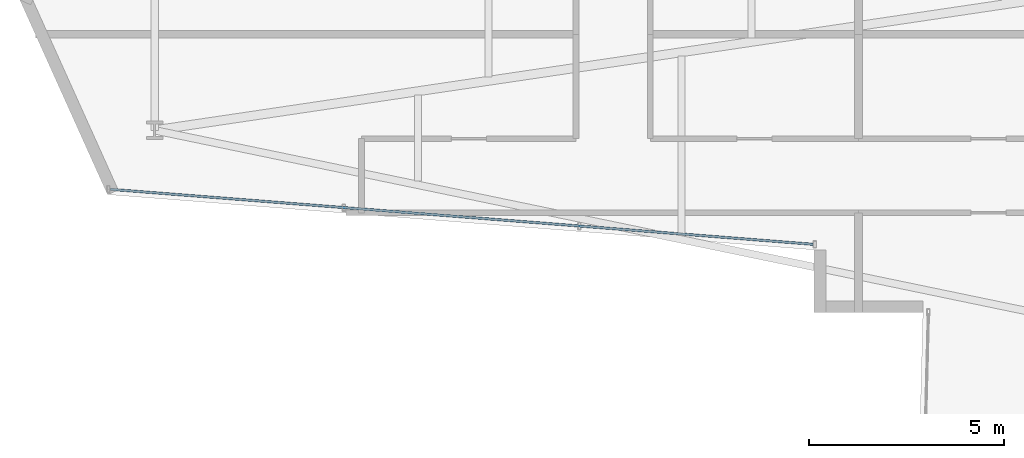
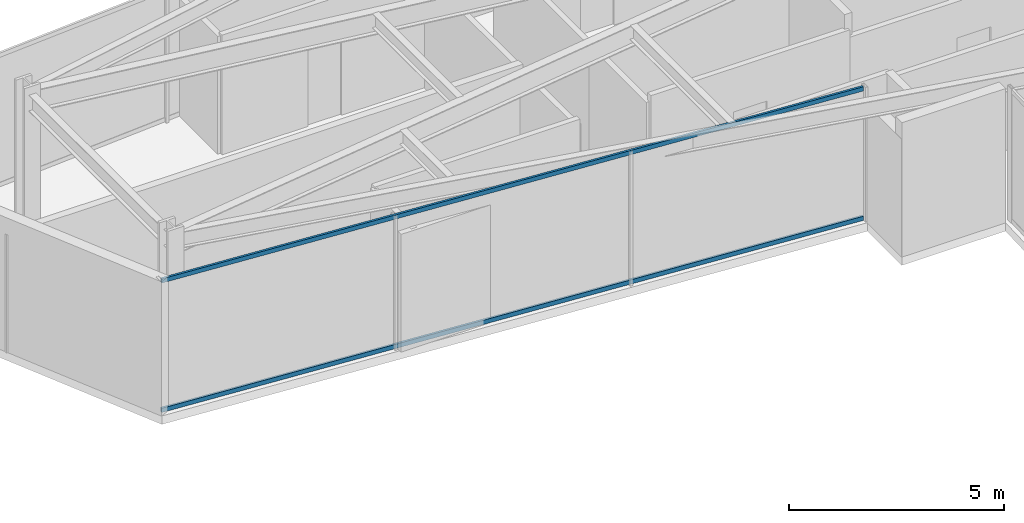
# One storey, part 3 of 29: 2 members, 1 element without a shape of its own.
"""IFC4 building model written with IfcOpenShell, lengths in metres."""

from ifc_helpers import new_model, si_unit, direction, frame, origin, origin_2d, place, context, subcontext, project, spatial, hollow_rectangle, extrude, material, layer, layer_set, material_profile, profile_set, type_object, element, aggregate, save


model = new_model("IFC4")

# Units and contexts
model_context = context("Model", 3, precision=1e-05, world=origin(), true_north=direction((0.0, 1.0)))
body_context = subcontext(model_context, "Body", "Model", "MODEL_VIEW")
ifc_project = project(units=[si_unit("LENGTHUNIT", "METRE"), si_unit("AREAUNIT", "SQUARE_METRE"), si_unit("VOLUMEUNIT", "CUBIC_METRE"), si_unit("PLANEANGLEUNIT", "RADIAN"), si_unit("MASSUNIT", "GRAM", prefix="KILO")], contexts=[model_context])

# Site, building, storey
site_placement = place(None, origin())
site = spatial("IfcSite", under=ifc_project, at=site_placement, CompositionType="ELEMENT")
building_placement = place(site_placement, origin())
building = spatial("IfcBuilding", under=site, at=building_placement, Name="Veymaron Broadcast Tower", CompositionType="ELEMENT")
storey_placement = place(building_placement, frame((0.0, 0.0, 62.10009765625)))
storey = spatial("IfcBuildingStorey", under=building, at=storey_placement, Name="L13", CompositionType="ELEMENT", Elevation=62.10009765625)

# Curtain wall, members
ifc_material_1 = material(Name="Anodised aluminium AA 6063-T6 and laminated low-E dark glass", Category="aluminium")
ifc_layer = layer(ifc_material_1, 0.179931640625)
ifc_layer_set = layer_set([ifc_layer], Name="Anodised aluminium AA 6063-T6 and laminated low-E dark glass")
curtain_wall_type = type_object("IfcCurtainWallType", Name="CW-SYS-02", PredefinedType="NOTDEFINED", material=ifc_layer_set)
curtain_wall_placement = place(storey_placement, origin())
curtain_wall = element("IfcCurtainWall", 1, at=curtain_wall_placement, inside=storey, type_object=curtain_wall_type, Name="L13 dark-glass curtain wall CW-L13-E14-1", PredefinedType="NOTDEFINED")
ifc_material_2 = material(Name="Anodised aluminium AA 6063-T6", Category="aluminium")
ifc_material_profile = material_profile(ifc_material_2, hollow_rectangle(XDim=0.06005859375, YDim=0.1201171875, WallThickness=0.00390625, at=origin_2d()), Name="AL120X60X4")
ifc_profile_set = profile_set([ifc_material_profile], Name="Anodised aluminium AA 6063-T6")
member_type = type_object("IfcMemberType", Name="CW-TRN-02", PredefinedType="USERDEFINED", material=ifc_profile_set)
member_1_placement = place(storey_placement, frame((7.560791015625, 19.15234375, 0.06982421875), z_axis=(0.996952327032, -0.078013188791, 0.0), x_axis=(0.078013188791, 0.996952327032, 0.0)))
member_1 = element("IfcMember", 2, at=member_1_placement, type_object=member_type, Name="CW-L13-E14-1 transom B", ObjectType="TRANSOM", PredefinedType="USERDEFINED", context=body_context, shape_type="SweptSolid", body=[
    extrude(hollow_rectangle(XDim=0.06005859375, YDim=0.1201171875, WallThickness=0.00390625, at=origin_2d()), origin(), (0.0, 0.0, 1.0), 18.063232421875),
])
member_2_placement = place(storey_placement, frame((7.560791015625, 19.15234375, 3.739990234375), z_axis=(0.996952327032, -0.078013188791, 0.0), x_axis=(0.078013188791, 0.996952327032, 0.0)))
member_2 = element("IfcMember", 3, at=member_2_placement, type_object=member_type, Name="CW-L13-E14-1 transom T", ObjectType="TRANSOM", PredefinedType="USERDEFINED", context=body_context, shape_type="SweptSolid", body=[
    extrude(hollow_rectangle(XDim=0.06005859375, YDim=0.1201171875, WallThickness=0.00390625, at=origin_2d()), origin(), (0.0, 0.0, 1.0), 18.063232421875),
])
aggregate(curtain_wall, [member_1, member_2])

save(model, "model.ifc")
